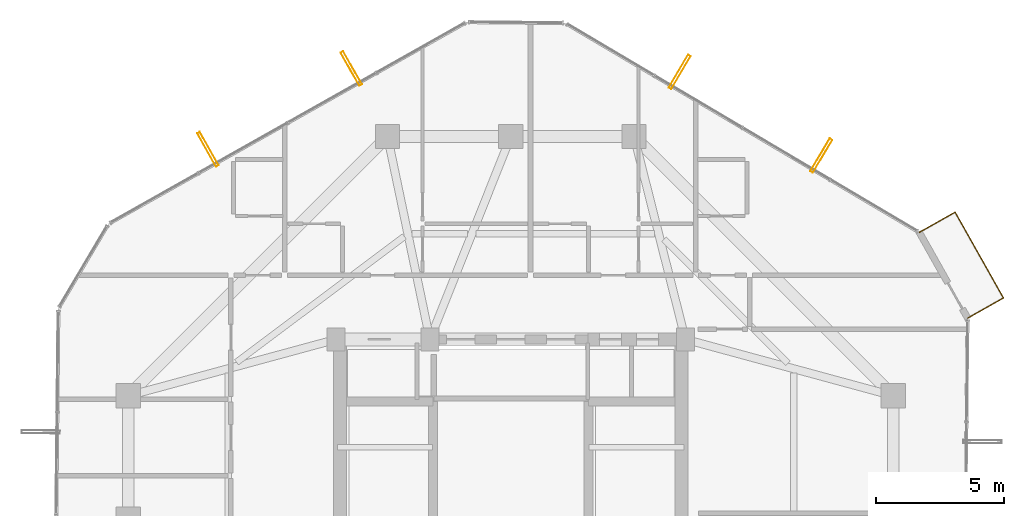
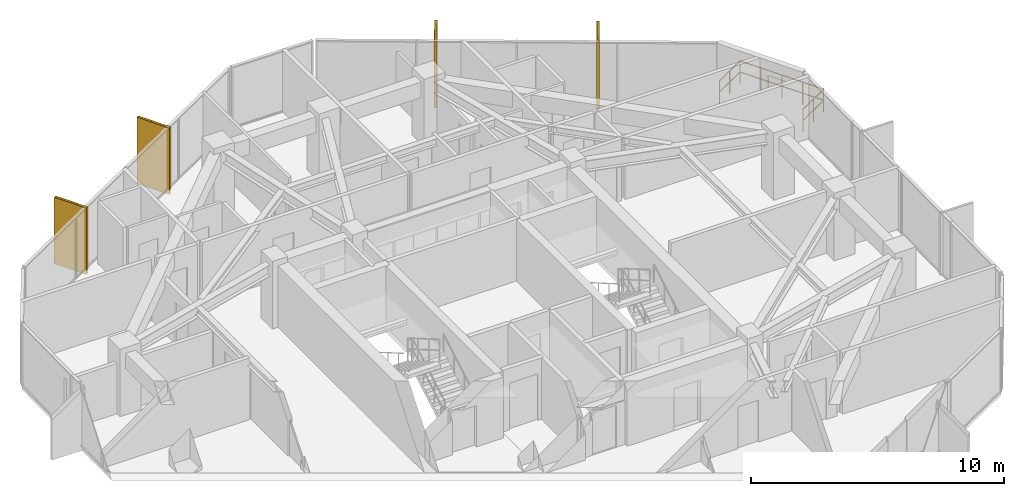
# One storey, part 30 of 30: 4 shading devices, 1 railing.
"""IFC4 building model written with IfcOpenShell, lengths in metres."""

from ifc_helpers import new_model, si_unit, direction, frame, origin, origin_2d, place, context, subcontext, project, spatial, hollow_rectangle, circle, extrude, material, material_profile, profile_set, type_object, element, save


model = new_model("IFC4")

# Units and contexts
model_context = context("Model", 3, precision=1e-05, world=origin(), true_north=direction((0.0, 1.0)))
body_context = subcontext(model_context, "Body", "Model", "MODEL_VIEW")
ifc_project = project(units=[si_unit("LENGTHUNIT", "METRE"), si_unit("AREAUNIT", "SQUARE_METRE"), si_unit("VOLUMEUNIT", "CUBIC_METRE"), si_unit("PLANEANGLEUNIT", "RADIAN"), si_unit("MASSUNIT", "GRAM", prefix="KILO")], contexts=[model_context])

# Site, building, storey
site_placement = place(None, origin())
site = spatial("IfcSite", under=ifc_project, at=site_placement, CompositionType="ELEMENT")
building_placement = place(site_placement, origin())
building = spatial("IfcBuilding", under=site, at=building_placement, Name="Veraguas Prism Commons", CompositionType="ELEMENT")
storey_placement = place(building_placement, frame((0.0, 0.0, 208.10009765625)))
storey = spatial("IfcBuildingStorey", under=building, at=storey_placement, Name="L59", CompositionType="ELEMENT", Elevation=208.10009765625)

# Shading devices
ifc_material_1 = material(Name="Anodised aluminium EN AW-6063 T6", Category="aluminium")
ifc_material_profile = material_profile(ifc_material_1, hollow_rectangle(XDim=0.1201171875, YDim=1.489990234375, WallThickness=0.006103515625, at=origin_2d()), Name="FIN120X1490X6")
ifc_profile_set = profile_set([ifc_material_profile], Name="Anodised aluminium EN AW-6063 T6")
shading_device_type = type_object("IfcShadingDeviceType", Name="Deep Pale-Metal Vertical Solar Fin 120x1490", PredefinedType="USERDEFINED", material=ifc_profile_set)
for number, where, z_axis, x_axis, name in (
    (1, (36.091552734375, 38.150634765625, -0.215087890625), (0.0, 0.0, 1.0), (-0.860742027004, 0.50904141575, 0.0), "Vertical Pale-Metal Solar Fin L59-F1A"),
    (2, (30.5751953125, 41.4130859375, -0.215087890625), (0.0, 0.0, 1.0), (-0.860742027004, 0.50904141575, 0.0), "Vertical Pale-Metal Solar Fin L59-F1B"),
    (3, (17.791015625, 41.547119140625, -0.215087890625), (0.0, 0.0, 1.0), (-0.87121381112, -0.490903753615, 0.0), "Vertical Pale-Metal Solar Fin L59-F2A"),
    (4, (12.20751953125, 38.40087890625, -0.215087890625), (0.0, 0.0, 1.0), (-0.87121381112, -0.490903753615, 0.0), "Vertical Pale-Metal Solar Fin L59-F2B"),
):
    element("IfcShadingDevice", number, at=place(storey_placement, frame(where, z_axis=z_axis, x_axis=x_axis)), inside=storey, type_object=shading_device_type, Name=name, ObjectType="FIN", PredefinedType="USERDEFINED", context=body_context, shape_type="SweptSolid", body=[
        extrude(hollow_rectangle(XDim=0.1201171875, YDim=1.489990234375, WallThickness=0.006103515625, at=origin_2d()), origin(), (0.0, 0.0, 1.0), 3.205078125),
    ])

# Railing
ifc_material_2 = material(Name="Stainless steel AISI 316", Category="steel")
railing_type = type_object("IfcRailingType", Name="Loggia and Sky Pool Glazed Balustrade 1120", PredefinedType="BALUSTRADE", material=ifc_material_2)
railing_placement = place(storey_placement, frame((41.793212890625, 31.8251953125, 0.0)))
element("IfcRailing", 5, at=railing_placement, inside=storey, type_object=railing_type, Name="Recessed Corner Loggia L59-C1 Guard", PredefinedType="BALUSTRADE", context=body_context, shape_type="SweptSolid", body=[
    extrude(circle(Radius=0.02392578125, at=origin_2d()), frame((0.0, 0.0, 1.09619140625), z_axis=(0.871204424306, 0.490920412155, 0.0), x_axis=(-0.490920412155, 0.871204424306, 0.0)), (0.0, 0.0, 1.0), 1.599853515625),
    extrude(circle(Radius=0.02392578125, at=origin_2d()), frame((0.0, 0.0, 0.56005859375), z_axis=(0.871204424306, 0.490920412155, 0.0), x_axis=(-0.490920412155, 0.871204424306, 0.0)), (0.0, 0.0, 1.0), 1.599853515625),
    extrude(circle(Radius=0.02392578125, at=origin_2d()), frame((1.393798828125, 0.785400390625, 1.09619140625), z_axis=(-0.490877767634, 0.871228452958, 0.0), x_axis=(-0.871228452958, -0.490877767634, 0.0)), (0.0, 0.0, 1.0), 3.834716796875),
    extrude(circle(Radius=0.02392578125, at=origin_2d()), frame((1.393798828125, 0.785400390625, 0.56005859375), z_axis=(-0.490877767634, 0.871228452958, 0.0), x_axis=(-0.871228452958, -0.490877767634, 0.0)), (0.0, 0.0, 1.0), 3.834716796875),
    extrude(circle(Radius=0.02392578125, at=origin_2d()), frame((-0.488525390625, 4.126220703125, 1.09619140625), z_axis=(-0.871204424306, -0.490920412155, 0.0), x_axis=(0.490920412155, -0.871204424306, 0.0)), (0.0, 0.0, 1.0), 1.599853515625),
    extrude(circle(Radius=0.02392578125, at=origin_2d()), frame((-0.488525390625, 4.126220703125, 0.56005859375), z_axis=(-0.871204424306, -0.490920412155, 0.0), x_axis=(0.490920412155, -0.871204424306, 0.0)), (0.0, 0.0, 1.0), 1.599853515625),
    extrude(circle(Radius=0.02099609375, at=origin_2d()), origin(), (0.0, 0.0, 1.0), 1.072021484375),
    extrude(circle(Radius=0.02099609375, at=origin_2d()), frame((0.69677734375, 0.392578125, 0.0)), (0.0, 0.0, 1.0), 1.072021484375),
    extrude(circle(Radius=0.02099609375, at=origin_2d()), frame((1.393798828125, 0.785400390625, 0.0)), (0.0, 0.0, 1.0), 1.072021484375),
    extrude(circle(Radius=0.02099609375, at=origin_2d()), frame((0.92333984375, 1.62060546875, 0.0)), (0.0, 0.0, 1.0), 1.072021484375),
    extrude(circle(Radius=0.02099609375, at=origin_2d()), frame((0.45263671875, 2.455810546875, 0.0)), (0.0, 0.0, 1.0), 1.072021484375),
    extrude(circle(Radius=0.02099609375, at=origin_2d()), frame((-0.01806640625, 3.291015625, 0.0)), (0.0, 0.0, 1.0), 1.072021484375),
    extrude(circle(Radius=0.02099609375, at=origin_2d()), frame((-0.488525390625, 4.126220703125, 0.0)), (0.0, 0.0, 1.0), 1.072021484375),
    extrude(circle(Radius=0.02099609375, at=origin_2d()), frame((-1.185546875, 3.7333984375, 0.0)), (0.0, 0.0, 1.0), 1.072021484375),
    extrude(circle(Radius=0.02099609375, at=origin_2d()), frame((-1.88232421875, 3.3408203125, 0.0)), (0.0, 0.0, 1.0), 1.072021484375),
])

save(model, "model.ifc")
